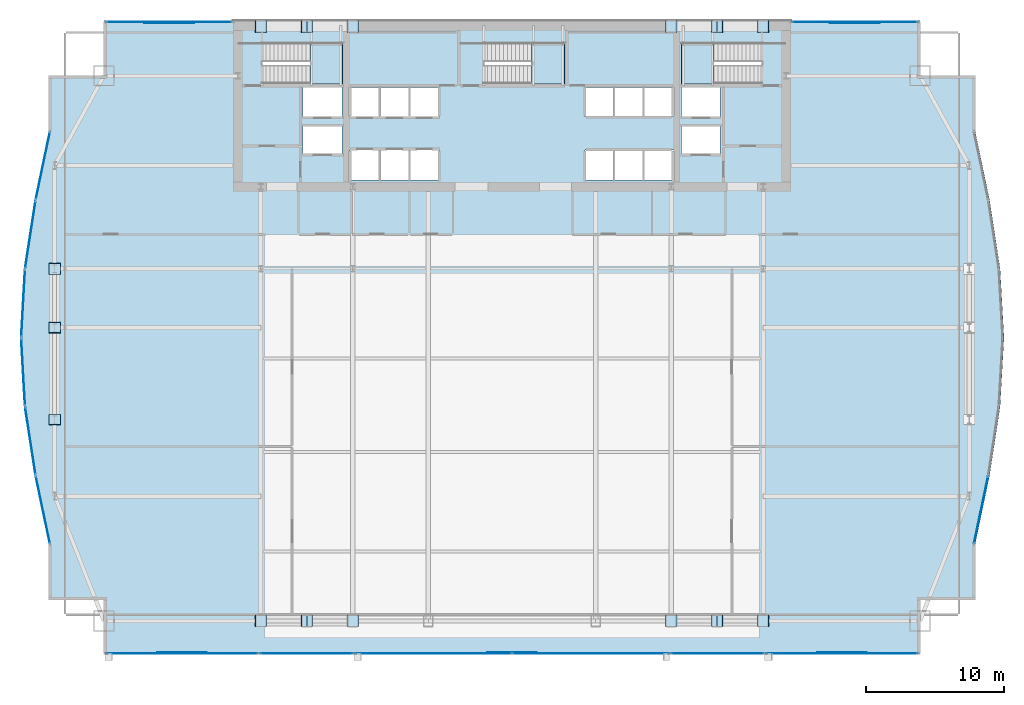
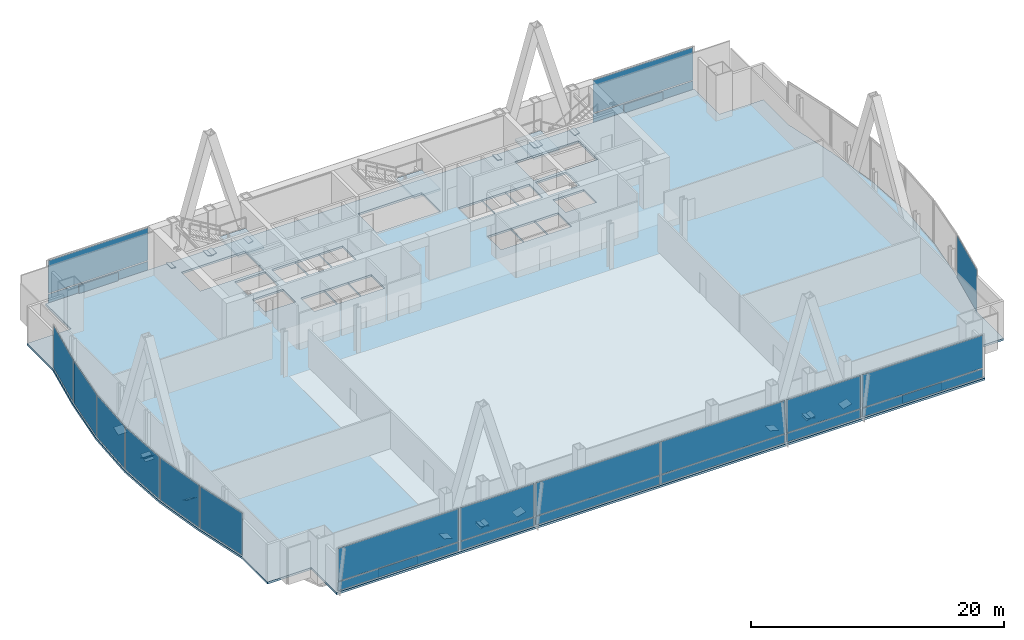
# One storey, part 26 of 32: 48 plates, 4 slabs, 17 elements without a shape of their own.
"""IFC4 building model written with IfcOpenShell, lengths in metres."""

from ifc_helpers import new_model, si_unit, direction, frame, origin, origin_2d, place, context, subcontext, project, spatial, polyline, rectangle, outline, extrude, material, layer, layer_set, type_object, element, aggregate, save


model = new_model("IFC4")

# Units and contexts
model_context = context("Model", 3, precision=1e-05, world=origin(), true_north=direction((0.0, 1.0)))
body_context = subcontext(model_context, "Body", "Model", "MODEL_VIEW")
ifc_project = project(units=[si_unit("LENGTHUNIT", "METRE"), si_unit("AREAUNIT", "SQUARE_METRE"), si_unit("VOLUMEUNIT", "CUBIC_METRE"), si_unit("PLANEANGLEUNIT", "RADIAN"), si_unit("MASSUNIT", "GRAM", prefix="KILO")], contexts=[model_context])

# Site, building, storey
site_placement = place(None, origin())
site = spatial("IfcSite", under=ifc_project, at=site_placement, CompositionType="ELEMENT")
building_placement = place(site_placement, origin())
building = spatial("IfcBuilding", under=site, at=building_placement, Name="Khoronbel Lancet Exchange", CompositionType="ELEMENT")
storey_placement = place(building_placement, frame((0.0, 0.0, 106.60009765625)))
storey = spatial("IfcBuildingStorey", under=building, at=storey_placement, Name="L25", CompositionType="ELEMENT", Elevation=106.60009765625)

# Curtain wall, plate
ifc_material_1 = material(Name="Low-E Solar Control Insulating Glass", Category="glass")
curtain_wall_type_1 = type_object("IfcCurtainWallType", Name="CW-4", PredefinedType="NOTDEFINED", material=ifc_material_1)
curtain_wall_1_placement = place(storey_placement, origin())
curtain_wall_1 = element("IfcCurtainWall", 1, at=curtain_wall_1_placement, inside=storey, type_object=curtain_wall_type_1, Name="Unitised curtain wall CW-L25-E05", PredefinedType="NOTDEFINED")
ifc_material_2 = material(Name="Bronze-Anodised Aluminium 6063-T6", Category="aluminium")
ifc_layer_1 = layer(ifc_material_2, 0.050048828125, Name="Bronze-Anodised Aluminium 6063-T6")
ifc_layer_set_1 = layer_set([ifc_layer_1], Name="Bronze-Anodised Aluminium 6063-T6")
plate_type_1 = type_object("IfcPlateType", Name="PLT-CSP1", PredefinedType="SHEET", material=ifc_layer_set_1)
plate_1_placement = place(storey_placement, frame((1.50732421875, 23.212646484375, 0.0849609375), z_axis=(0.0, 0.0, 1.0), x_axis=(-0.151689763181, 0.988428154064, 0.0)))
plate_1 = element("IfcPlate", 2, at=plate_1_placement, type_object=plate_type_1, Name="CW4 panel 1.1", PredefinedType="CURTAIN_PANEL", context=body_context, shape_type="SweptSolid", body=[
    extrude(rectangle(XDim=4.90185546875, YDim=0.0380859375, at=origin_2d()), origin(), (0.0, 0.0, 1.0), 4.070068359375),
])
aggregate(curtain_wall_1, [plate_1])

curtain_wall_2_placement = place(storey_placement, origin())
curtain_wall_2 = element("IfcCurtainWall", 3, at=curtain_wall_2_placement, inside=storey, type_object=curtain_wall_type_1, Name="Unitised curtain wall CW-L25-E06", PredefinedType="NOTDEFINED")
plate_2_placement = place(storey_placement, frame((0.984130859375, 28.20458984375, 0.0849609375), z_axis=(0.0, 0.0, 1.0), x_axis=(-0.056077211104, 0.998426435144, 0.0)))
plate_2 = element("IfcPlate", 4, at=plate_2_placement, type_object=plate_type_1, Name="CW4 panel 1.1", PredefinedType="CURTAIN_PANEL", context=body_context, shape_type="SweptSolid", body=[
    extrude(rectangle(XDim=4.848388671875, YDim=0.0380859375, at=origin_2d()), origin(), (0.0, 0.0, 1.0), 4.070068359375),
])
aggregate(curtain_wall_2, [plate_2])

curtain_wall_3_placement = place(storey_placement, origin())
curtain_wall_3 = element("IfcCurtainWall", 5, at=curtain_wall_3_placement, inside=storey, type_object=curtain_wall_type_1, Name="Unitised curtain wall CW-L25-E07", PredefinedType="NOTDEFINED")
plate_3_placement = place(storey_placement, frame((0.984130859375, 33.1953125, 0.0849609375), z_axis=(0.0, 0.0, 1.0), x_axis=(0.056077211104, 0.998426435144, 0.0)))
plate_3 = element("IfcPlate", 6, at=plate_3_placement, type_object=plate_type_1, Name="CW4 panel 1.1", PredefinedType="CURTAIN_PANEL", context=body_context, shape_type="SweptSolid", body=[
    extrude(rectangle(XDim=4.848388671875, YDim=0.0380859375, at=origin_2d()), origin(), (0.0, 0.0, 1.0), 4.070068359375),
])
aggregate(curtain_wall_3, [plate_3])

curtain_wall_4_placement = place(storey_placement, origin())
curtain_wall_4 = element("IfcCurtainWall", 7, at=curtain_wall_4_placement, inside=storey, type_object=curtain_wall_type_1, Name="Unitised curtain wall CW-L25-E08", PredefinedType="NOTDEFINED")
plate_4_placement = place(storey_placement, frame((1.50732421875, 38.187255859375, 0.0849609375), z_axis=(0.0, 0.0, 1.0), x_axis=(0.151689763181, 0.988428154064, 0.0)))
plate_4 = element("IfcPlate", 8, at=plate_4_placement, type_object=plate_type_1, Name="CW4 panel 1.1", PredefinedType="CURTAIN_PANEL", context=body_context, shape_type="SweptSolid", body=[
    extrude(rectangle(XDim=4.90185546875, YDim=0.0380859375, at=origin_2d()), origin(), (0.0, 0.0, 1.0), 4.070068359375),
])
aggregate(curtain_wall_4, [plate_4])

curtain_wall_type_2 = type_object("IfcCurtainWallType", Name="CW-2", PredefinedType="NOTDEFINED", material=ifc_material_1)
curtain_wall_5_placement = place(storey_placement, origin())
curtain_wall_5 = element("IfcCurtainWall", 9, at=curtain_wall_5_placement, inside=storey, type_object=curtain_wall_type_2, Name="Unitised curtain wall CW-L25-NWFLK", PredefinedType="NOTDEFINED")
plate_5_placement = place(storey_placement, frame((11.580078125, 53.550048828125, 0.0498046875), z_axis=(0.0, 0.0, 1.0), x_axis=(-1.0, 0.0, 0.0)))
plate_5 = element("IfcPlate", 10, at=plate_5_placement, type_object=plate_type_1, Name="Insulated bronze spandrel cassette CW-L25-NWFLK", PredefinedType="SHEET", context=body_context, shape_type="SweptSolid", body=[
    extrude(rectangle(XDim=3.60009765625, YDim=0.050048828125, at=origin_2d()), origin(), (0.0, 0.0, 1.0), 0.800048828125),
])

curtain_wall_6_placement = place(storey_placement, origin())
curtain_wall_6 = element("IfcCurtainWall", 11, at=curtain_wall_6_placement, inside=storey, type_object=curtain_wall_type_2, Name="Unitised curtain wall CW-L25-NEFLK", PredefinedType="NOTDEFINED")
plate_6_placement = place(storey_placement, frame((61.320068359375, 53.550048828125, 0.0498046875), z_axis=(0.0, 0.0, 1.0), x_axis=(-1.0, 0.0, 0.0)))
plate_6 = element("IfcPlate", 12, at=plate_6_placement, type_object=plate_type_1, Name="Insulated bronze spandrel cassette CW-L25-NEFLK", PredefinedType="SHEET", context=body_context, shape_type="SweptSolid", body=[
    extrude(rectangle(XDim=3.60009765625, YDim=0.050048828125, at=origin_2d()), origin(), (0.0, 0.0, 1.0), 0.800048828125),
])

curtain_wall_7_placement = place(storey_placement, origin())
curtain_wall_7 = element("IfcCurtainWall", 13, at=curtain_wall_7_placement, inside=storey, type_object=curtain_wall_type_2, Name="Unitised curtain wall CW-L25-SWV", PredefinedType="NOTDEFINED")
plate_7_placement = place(storey_placement, frame((12.52001953125, 7.85009765625, 0.0498046875), z_axis=(0.0, 0.0, 1.0), x_axis=(1.0, 0.0, 0.0)))
plate_7 = element("IfcPlate", 14, at=plate_7_placement, type_object=plate_type_1, Name="Insulated bronze spandrel cassette CW-L25-SWV", PredefinedType="SHEET", context=body_context, shape_type="SweptSolid", body=[
    extrude(rectangle(XDim=3.60009765625, YDim=0.050048828125, at=origin_2d()), origin(), (0.0, 0.0, 1.0), 0.800048828125),
])

# Curtain wall, plates
curtain_wall_8_placement = place(storey_placement, origin())
curtain_wall_8 = element("IfcCurtainWall", 15, at=curtain_wall_8_placement, inside=storey, type_object=curtain_wall_type_2, Name="Unitised curtain wall CW-L25-SWB", PredefinedType="NOTDEFINED")
plate_8_placement = place(storey_placement, frame((21.550048828125, 7.7900390625, 0.0849609375), z_axis=(0.0, 0.0, 1.0), x_axis=(1.0, 0.0, 0.0)))
plate_8 = element("IfcPlate", 16, at=plate_8_placement, type_object=plate_type_1, Name="CW2 panel 1.1", PredefinedType="CURTAIN_PANEL", context=body_context, shape_type="SweptSolid", body=[
    extrude(rectangle(XDim=6.72998046875, YDim=0.0380859375, at=origin_2d()), origin(), (0.0, 0.0, 1.0), 0.822509765625),
])
plate_9_placement = place(storey_placement, frame((21.550048828125, 7.7900390625, 0.992431640625), z_axis=(0.0, 0.0, 1.0), x_axis=(1.0, 0.0, 0.0)))
plate_9 = element("IfcPlate", 17, at=plate_9_placement, type_object=plate_type_1, Name="CW2 panel 1.2", PredefinedType="CURTAIN_PANEL", context=body_context, shape_type="SweptSolid", body=[
    extrude(rectangle(XDim=6.72998046875, YDim=0.0380859375, at=origin_2d()), origin(), (0.0, 0.0, 1.0), 3.16259765625),
])
aggregate(curtain_wall_8, [plate_8, plate_9])

# Curtain wall, plate
curtain_wall_9_placement = place(storey_placement, origin())
curtain_wall_9 = element("IfcCurtainWall", 18, at=curtain_wall_9_placement, inside=storey, type_object=curtain_wall_type_2, Name="Unitised curtain wall CW-L25-SCV", PredefinedType="NOTDEFINED")
plate_10_placement = place(storey_placement, frame((36.449951171875, 7.85009765625, 0.0498046875), z_axis=(0.0, 0.0, 1.0), x_axis=(1.0, 0.0, 0.0)))
plate_10 = element("IfcPlate", 19, at=plate_10_placement, type_object=plate_type_1, Name="Insulated bronze spandrel cassette CW-L25-SCV", PredefinedType="SHEET", context=body_context, shape_type="SweptSolid", body=[
    extrude(rectangle(XDim=3.60009765625, YDim=0.050048828125, at=origin_2d()), origin(), (0.0, 0.0, 1.0), 0.800048828125),
])

# Curtain wall, plates
curtain_wall_10_placement = place(storey_placement, origin())
curtain_wall_10 = element("IfcCurtainWall", 20, at=curtain_wall_10_placement, inside=storey, type_object=curtain_wall_type_2, Name="Unitised curtain wall CW-L25-SEB", PredefinedType="NOTDEFINED")
plate_11_placement = place(storey_placement, frame((51.35009765625, 7.7900390625, 0.0849609375), z_axis=(0.0, 0.0, 1.0), x_axis=(1.0, 0.0, 0.0)))
plate_11 = element("IfcPlate", 21, at=plate_11_placement, type_object=plate_type_1, Name="CW2 panel 1.1", PredefinedType="CURTAIN_PANEL", context=body_context, shape_type="SweptSolid", body=[
    extrude(rectangle(XDim=6.72998046875, YDim=0.0380859375, at=origin_2d()), origin(), (0.0, 0.0, 1.0), 0.822509765625),
])
plate_12_placement = place(storey_placement, frame((51.35009765625, 7.7900390625, 0.992431640625), z_axis=(0.0, 0.0, 1.0), x_axis=(1.0, 0.0, 0.0)))
plate_12 = element("IfcPlate", 22, at=plate_12_placement, type_object=plate_type_1, Name="CW2 panel 1.2", PredefinedType="CURTAIN_PANEL", context=body_context, shape_type="SweptSolid", body=[
    extrude(rectangle(XDim=6.72998046875, YDim=0.0380859375, at=origin_2d()), origin(), (0.0, 0.0, 1.0), 3.16259765625),
])
aggregate(curtain_wall_10, [plate_11, plate_12])

# Curtain wall, plate
curtain_wall_11_placement = place(storey_placement, origin())
curtain_wall_11 = element("IfcCurtainWall", 23, at=curtain_wall_11_placement, inside=storey, type_object=curtain_wall_type_2, Name="Unitised curtain wall CW-L25-SEV", PredefinedType="NOTDEFINED")
plate_13_placement = place(storey_placement, frame((60.3798828125, 7.85009765625, 0.0498046875), z_axis=(0.0, 0.0, 1.0), x_axis=(1.0, 0.0, 0.0)))
plate_13 = element("IfcPlate", 24, at=plate_13_placement, type_object=plate_type_1, Name="Insulated bronze spandrel cassette CW-L25-SEV", PredefinedType="SHEET", context=body_context, shape_type="SweptSolid", body=[
    extrude(rectangle(XDim=3.60009765625, YDim=0.050048828125, at=origin_2d()), origin(), (0.0, 0.0, 1.0), 0.800048828125),
])

# Plate
ifc_layer_2 = layer(ifc_material_1, 0.035888671875, Name="Low-E Solar Control Insulating Glass")
ifc_layer_set_2 = layer_set([ifc_layer_2], Name="Low-E Solar Control Insulating Glass")
plate_type_2 = type_object("IfcPlateType", Name="PLT-CWP1", PredefinedType="CURTAIN_PANEL", material=ifc_layer_set_2)
plate_14_placement = place(storey_placement, frame((11.580078125, 53.610107421875, 0.0849609375), z_axis=(0.0, 0.0, 1.0), x_axis=(-1.0, 0.0, 0.0)))
plate_14 = element("IfcPlate", 25, at=plate_14_placement, type_object=plate_type_2, Name="CW2 panel 1.1", PredefinedType="CURTAIN_PANEL", context=body_context, shape_type="SweptSolid", body=[
    extrude(rectangle(XDim=9.110107421875, YDim=0.0380859375, at=origin_2d()), origin(), (0.0, 0.0, 1.0), 0.822509765625),
])

plate_15_placement = place(storey_placement, frame((11.580078125, 53.610107421875, 0.992431640625), z_axis=(0.0, 0.0, 1.0), x_axis=(-1.0, 0.0, 0.0)))
plate_15 = element("IfcPlate", 26, at=plate_15_placement, type_object=plate_type_2, Name="CW2 panel 1.2", PredefinedType="CURTAIN_PANEL", context=body_context, shape_type="SweptSolid", body=[
    extrude(rectangle(XDim=9.110107421875, YDim=0.0380859375, at=origin_2d()), origin(), (0.0, 0.0, 1.0), 3.16259765625),
])

aggregate(curtain_wall_5, [plate_14, plate_15, plate_5])

plate_16_placement = place(storey_placement, frame((61.320068359375, 53.610107421875, 0.0849609375), z_axis=(0.0, 0.0, 1.0), x_axis=(-1.0, 0.0, 0.0)))
plate_16 = element("IfcPlate", 27, at=plate_16_placement, type_object=plate_type_2, Name="CW2 panel 1.1", PredefinedType="CURTAIN_PANEL", context=body_context, shape_type="SweptSolid", body=[
    extrude(rectangle(XDim=9.110107421875, YDim=0.0380859375, at=origin_2d()), origin(), (0.0, 0.0, 1.0), 0.822509765625),
])

plate_17_placement = place(storey_placement, frame((61.320068359375, 53.610107421875, 0.992431640625), z_axis=(0.0, 0.0, 1.0), x_axis=(-1.0, 0.0, 0.0)))
plate_17 = element("IfcPlate", 28, at=plate_17_placement, type_object=plate_type_2, Name="CW2 panel 1.2", PredefinedType="CURTAIN_PANEL", context=body_context, shape_type="SweptSolid", body=[
    extrude(rectangle(XDim=9.110107421875, YDim=0.0380859375, at=origin_2d()), origin(), (0.0, 0.0, 1.0), 3.16259765625),
])

aggregate(curtain_wall_6, [plate_16, plate_17, plate_6])

plate_18_placement = place(storey_placement, frame((12.52001953125, 7.7900390625, 0.0849609375), z_axis=(0.0, 0.0, 1.0), x_axis=(1.0, 0.0, 0.0)))
plate_18 = element("IfcPlate", 29, at=plate_18_placement, type_object=plate_type_2, Name="CW2 panel 1.1", PredefinedType="CURTAIN_PANEL", context=body_context, shape_type="SweptSolid", body=[
    extrude(rectangle(XDim=10.989990234375, YDim=0.0380859375, at=origin_2d()), origin(), (0.0, 0.0, 1.0), 0.822509765625),
])

plate_19_placement = place(storey_placement, frame((12.52001953125, 7.7900390625, 0.992431640625), z_axis=(0.0, 0.0, 1.0), x_axis=(1.0, 0.0, 0.0)))
plate_19 = element("IfcPlate", 30, at=plate_19_placement, type_object=plate_type_2, Name="CW2 panel 1.2", PredefinedType="CURTAIN_PANEL", context=body_context, shape_type="SweptSolid", body=[
    extrude(rectangle(XDim=10.989990234375, YDim=0.0380859375, at=origin_2d()), origin(), (0.0, 0.0, 1.0), 3.16259765625),
])

aggregate(curtain_wall_7, [plate_18, plate_19, plate_7])

plate_20_placement = place(storey_placement, frame((30.746337890625, 7.7900390625, 0.0849609375), z_axis=(0.0, 0.0, 1.0), x_axis=(1.0, 0.0, 0.0)))
plate_20 = element("IfcPlate", 31, at=plate_20_placement, type_object=plate_type_2, Name="CW2 panel 1.1", PredefinedType="CURTAIN_PANEL", context=body_context, shape_type="SweptSolid", body=[
    extrude(rectangle(XDim=11.322509765625, YDim=0.0380859375, at=origin_2d()), origin(), (0.0, 0.0, 1.0), 0.822509765625),
])

plate_21_placement = place(storey_placement, frame((30.746337890625, 7.7900390625, 0.992431640625), z_axis=(0.0, 0.0, 1.0), x_axis=(1.0, 0.0, 0.0)))
plate_21 = element("IfcPlate", 32, at=plate_21_placement, type_object=plate_type_2, Name="CW2 panel 1.2", PredefinedType="CURTAIN_PANEL", context=body_context, shape_type="SweptSolid", body=[
    extrude(rectangle(XDim=11.322509765625, YDim=0.0380859375, at=origin_2d()), origin(), (0.0, 0.0, 1.0), 3.16259765625),
])

plate_22_placement = place(storey_placement, frame((42.15380859375, 7.7900390625, 0.0849609375), z_axis=(0.0, 0.0, 1.0), x_axis=(1.0, 0.0, 0.0)))
plate_22 = element("IfcPlate", 33, at=plate_22_placement, type_object=plate_type_2, Name="CW2 panel 2.1", PredefinedType="CURTAIN_PANEL", context=body_context, shape_type="SweptSolid", body=[
    extrude(rectangle(XDim=11.322509765625, YDim=0.0380859375, at=origin_2d()), origin(), (0.0, 0.0, 1.0), 0.822509765625),
])

plate_23_placement = place(storey_placement, frame((42.15380859375, 7.7900390625, 0.992431640625), z_axis=(0.0, 0.0, 1.0), x_axis=(1.0, 0.0, 0.0)))
plate_23 = element("IfcPlate", 34, at=plate_23_placement, type_object=plate_type_2, Name="CW2 panel 2.2", PredefinedType="CURTAIN_PANEL", context=body_context, shape_type="SweptSolid", body=[
    extrude(rectangle(XDim=11.322509765625, YDim=0.0380859375, at=origin_2d()), origin(), (0.0, 0.0, 1.0), 3.16259765625),
])

aggregate(curtain_wall_9, [plate_20, plate_21, plate_22, plate_23, plate_10])

plate_24_placement = place(storey_placement, frame((60.3798828125, 7.7900390625, 0.0849609375), z_axis=(0.0, 0.0, 1.0), x_axis=(1.0, 0.0, 0.0)))
plate_24 = element("IfcPlate", 35, at=plate_24_placement, type_object=plate_type_2, Name="CW2 panel 1.1", PredefinedType="CURTAIN_PANEL", context=body_context, shape_type="SweptSolid", body=[
    extrude(rectangle(XDim=10.989990234375, YDim=0.0380859375, at=origin_2d()), origin(), (0.0, 0.0, 1.0), 0.822509765625),
])

plate_25_placement = place(storey_placement, frame((60.3798828125, 7.7900390625, 0.992431640625), z_axis=(0.0, 0.0, 1.0), x_axis=(1.0, 0.0, 0.0)))
plate_25 = element("IfcPlate", 36, at=plate_25_placement, type_object=plate_type_2, Name="CW2 panel 1.2", PredefinedType="CURTAIN_PANEL", context=body_context, shape_type="SweptSolid", body=[
    extrude(rectangle(XDim=10.989990234375, YDim=0.0380859375, at=origin_2d()), origin(), (0.0, 0.0, 1.0), 3.16259765625),
])

aggregate(curtain_wall_11, [plate_24, plate_25, plate_13])

# Curtain wall, plate
curtain_wall_12_placement = place(storey_placement, origin())
curtain_wall_12 = element("IfcCurtainWall", 37, at=curtain_wall_12_placement, inside=storey, type_object=curtain_wall_type_1, Name="Unitised curtain wall CW-L25-E04", PredefinedType="NOTDEFINED")
ifc_material_3 = material(Name="Ceramic-Fritted Laminated Insulating Glass", Category="glass")
ifc_layer_3 = layer(ifc_material_3, 0.0419921875, Name="Ceramic-Fritted Laminated Insulating Glass")
ifc_layer_set_3 = layer_set([ifc_layer_3], Name="Ceramic-Fritted Laminated Insulating Glass")
plate_type_3 = type_object("IfcPlateType", Name="PLT-CWP2", PredefinedType="CURTAIN_PANEL", material=ifc_layer_set_3)
plate_26_placement = place(storey_placement, frame((2.415283203125, 18.212646484375, 0.0849609375), z_axis=(0.0, 0.0, 1.0), x_axis=(-0.205156253509, 0.97872923306, 0.0)))
plate_26 = element("IfcPlate", 38, at=plate_26_placement, type_object=plate_type_3, Name="CW4 panel 1.1", PredefinedType="CURTAIN_PANEL", context=body_context, shape_type="SweptSolid", body=[
    extrude(rectangle(XDim=4.965576171875, YDim=0.0380859375, at=origin_2d()), origin(), (0.0, 0.0, 1.0), 4.070068359375),
])
aggregate(curtain_wall_12, [plate_26])

curtain_wall_13_placement = place(storey_placement, origin())
curtain_wall_13 = element("IfcCurtainWall", 39, at=curtain_wall_13_placement, inside=storey, type_object=curtain_wall_type_1, Name="Unitised curtain wall CW-L25-E09", PredefinedType="NOTDEFINED")
plate_27_placement = place(storey_placement, frame((2.415283203125, 43.187255859375, 0.0849609375), z_axis=(0.0, 0.0, 1.0), x_axis=(0.205156253509, 0.97872923306, 0.0)))
plate_27 = element("IfcPlate", 40, at=plate_27_placement, type_object=plate_type_3, Name="CW4 panel 1.1", PredefinedType="CURTAIN_PANEL", context=body_context, shape_type="SweptSolid", body=[
    extrude(rectangle(XDim=4.965576171875, YDim=0.0380859375, at=origin_2d()), origin(), (0.0, 0.0, 1.0), 4.070068359375),
])
aggregate(curtain_wall_13, [plate_27])

curtain_wall_14_placement = place(storey_placement, origin())
curtain_wall_14 = element("IfcCurtainWall", 41, at=curtain_wall_14_placement, inside=storey, type_object=curtain_wall_type_1, Name="Unitised curtain wall CW-L25-E22", PredefinedType="NOTDEFINED")
plate_28_placement = place(storey_placement, frame((70.48486328125, 18.212646484375, 0.0849609375), z_axis=(0.0, 0.0, 1.0), x_axis=(-0.205156253509, -0.97872923306, 0.0)))
plate_28 = element("IfcPlate", 42, at=plate_28_placement, type_object=plate_type_3, Name="CW4 panel 1.1", PredefinedType="CURTAIN_PANEL", context=body_context, shape_type="SweptSolid", body=[
    extrude(rectangle(XDim=4.965576171875, YDim=0.0380859375, at=origin_2d()), origin(), (0.0, 0.0, 1.0), 4.070068359375),
])
aggregate(curtain_wall_14, [plate_28])

# Plates
ifc_material_4 = material(Name="Steel S460", Category="steel")
ifc_layer_4 = layer(ifc_material_4, 0.044921875, Name="Steel S460")
ifc_layer_set_4 = layer_set([ifc_layer_4], Name="Steel S460")
plate_type_4 = type_object("IfcPlateType", Name="PLT-ECP1", PredefinedType="USERDEFINED", material=ifc_layer_set_4)
for number, where, z_axis, x_axis, name in (
    (43, (21.97607421875, 9.72998046875, -0.080810546875), (0.26795862665, 0.0, 0.963430420115), (0.0, 1.0, 0.0), "Hollow end cap plate PLT-CAP-MEM-MB-T07-S-W-L-1"),
    (44, (21.14892578125, 10.570068359375, -0.080810546875), (-0.26795862665, 0.0, 0.963430420115), (0.0, -1.0, 0.0), "Hollow end cap plate PLT-CAP-MEM-MB-T07-S-W-R-1"),
    (45, (51.7509765625, 9.72998046875, -0.080810546875), (0.26795862665, 0.0, 0.963430420115), (0.0, 1.0, 0.0), "Hollow end cap plate PLT-CAP-MEM-MB-T07-S-E-L-1"),
    (46, (50.924072265625, 10.570068359375, -0.080810546875), (-0.26795862665, 0.0, 0.963430420115), (0.0, -1.0, 0.0), "Hollow end cap plate PLT-CAP-MEM-MB-T07-S-E-R-1"),
):
    element("IfcPlate", number, at=place(storey_placement, frame(where, z_axis=z_axis, x_axis=x_axis)), inside=storey, type_object=plate_type_4, Name=name, ObjectType="STIFFENER_PLATE", PredefinedType="USERDEFINED", context=body_context, shape_type="SweptSolid", body=[
        extrude(outline(polyline([(0.0, 0.0), (0.840087890625, 0.0), (0.840087890625, 0.840087890625), (0.0, 0.840087890625), (0.0, 0.0)])), origin(), (0.0, 0.0, -1.0), 0.044921875),
    ])
for number, where, z_axis, x_axis, name in (
    (47, (21.97607421875, 52.860107421875, -0.080810546875), (0.26795862665, 0.0, 0.963430420115), (0.0, 1.0, 0.0), "Hollow end cap plate PLT-CAP-MEM-MB-T07-N-W-L-1"),
    (48, (21.14892578125, 53.699951171875, -0.080810546875), (-0.26795862665, 0.0, 0.963430420115), (0.0, -1.0, 0.0), "Hollow end cap plate PLT-CAP-MEM-MB-T07-N-W-R-1"),
    (49, (51.7509765625, 52.860107421875, -0.080810546875), (0.26795862665, 0.0, 0.963430420115), (0.0, 1.0, 0.0), "Hollow end cap plate PLT-CAP-MEM-MB-T07-N-E-L-1"),
    (50, (50.924072265625, 53.699951171875, -0.080810546875), (-0.26795862665, 0.0, 0.963430420115), (0.0, -1.0, 0.0), "Hollow end cap plate PLT-CAP-MEM-MB-T07-N-E-R-1"),
    (51, (3.68994140625, 31.80810546875, -0.175537109375), (0.0, 0.486185669664, 0.873855534178), (-1.0, 0.0, 0.0), "Hollow end cap plate PLT-CAP-MEM-MB-T07-W-P-L-1"),
):
    element("IfcPlate", number, at=place(storey_placement, frame(where, z_axis=z_axis, x_axis=x_axis)), inside=storey, type_object=plate_type_4, Name=name, ObjectType="STIFFENER_PLATE", PredefinedType="USERDEFINED", context=body_context, shape_type="SweptSolid", body=[
        extrude(outline(polyline([(0.0, 0.0), (0.83984375, 0.0), (0.83984375, 0.840087890625), (0.0, 0.840087890625), (0.0, 0.0)])), origin(), (0.0, 0.0, -1.0), 0.044921875),
    ])
plate_29_placement = place(storey_placement, frame((2.85009765625, 31.018310546875, -0.10986328125), z_axis=(0.0, -0.335433979759, 0.942063716116), x_axis=(1.0, 0.0, 0.0)))
element("IfcPlate", 52, at=plate_29_placement, inside=storey, type_object=plate_type_4, Name="Hollow end cap plate PLT-CAP-MEM-MB-T07-W-P-R-1", ObjectType="STIFFENER_PLATE", PredefinedType="USERDEFINED", context=body_context, shape_type="SweptSolid", body=[
    extrude(outline(polyline([(0.0, 0.0), (0.83984375, 0.0), (0.83984375, 0.83984375), (0.0, 0.83984375), (0.0, 0.0)])), origin(), (0.0, 0.0, -1.0), 0.044921875),
])
for number, where, z_axis, x_axis, name in (
    (53, (18.6318359375, 9.72998046875, -0.104736328125), (0.276448383973, 0.0, 0.961028766998), (0.0, 1.0, 0.0), "Hollow end cap plate PLT-CAP-MEM-MB-T08-S-W-L-0"),
    (54, (24.4931640625, 10.570068359375, -0.104736328125), (-0.276448383973, 0.0, 0.961028766998), (0.0, -1.0, 0.0), "Hollow end cap plate PLT-CAP-MEM-MB-T08-S-W-R-0"),
):
    element("IfcPlate", number, at=place(storey_placement, frame(where, z_axis=z_axis, x_axis=x_axis)), inside=storey, type_object=plate_type_4, Name=name, ObjectType="STIFFENER_PLATE", PredefinedType="USERDEFINED", context=body_context, shape_type="SweptSolid", body=[
        extrude(outline(polyline([(0.0, 0.0), (0.840087890625, 0.0), (0.840087890625, 0.83984375), (0.0, 0.83984375), (0.0, 0.0)])), origin(), (0.0, 0.0, -1.0), 0.044921875),
    ])
plate_30_placement = place(storey_placement, frame((48.406982421875, 9.72998046875, -0.104736328125), z_axis=(0.276371175016, 0.0, 0.961050973477), x_axis=(0.0, 1.0, 0.0)))
element("IfcPlate", 55, at=plate_30_placement, inside=storey, type_object=plate_type_4, Name="Hollow end cap plate PLT-CAP-MEM-MB-T08-S-E-L-0", ObjectType="STIFFENER_PLATE", PredefinedType="USERDEFINED", context=body_context, shape_type="SweptSolid", body=[
    extrude(outline(polyline([(0.0, 0.0), (0.840087890625, 0.0), (0.840087890625, 0.840087890625), (0.0, 0.840087890625), (0.0, 0.0)])), origin(), (0.0, 0.0, -1.0), 0.044921875),
])
plate_31_placement = place(storey_placement, frame((54.26806640625, 10.570068359375, -0.104736328125), z_axis=(-0.276448383973, 0.0, 0.961028766998), x_axis=(0.0, -1.0, 0.0)))
element("IfcPlate", 56, at=plate_31_placement, inside=storey, type_object=plate_type_4, Name="Hollow end cap plate PLT-CAP-MEM-MB-T08-S-E-R-0", ObjectType="STIFFENER_PLATE", PredefinedType="USERDEFINED", context=body_context, shape_type="SweptSolid", body=[
    extrude(outline(polyline([(0.0, 0.0), (0.840087890625, 0.0), (0.840087890625, 0.83984375), (0.0, 0.83984375), (0.0, 0.0)])), origin(), (0.0, 0.0, -1.0), 0.044921875),
])
for number, where, z_axis, x_axis, name in (
    (57, (18.6318359375, 52.860107421875, -0.104736328125), (0.276448383973, 0.0, 0.961028766998), (0.0, 1.0, 0.0), "Hollow end cap plate PLT-CAP-MEM-MB-T08-N-W-L-0"),
    (58, (24.4931640625, 53.699951171875, -0.104736328125), (-0.276448383973, 0.0, 0.961028766998), (0.0, -1.0, 0.0), "Hollow end cap plate PLT-CAP-MEM-MB-T08-N-W-R-0"),
):
    element("IfcPlate", number, at=place(storey_placement, frame(where, z_axis=z_axis, x_axis=x_axis)), inside=storey, type_object=plate_type_4, Name=name, ObjectType="STIFFENER_PLATE", PredefinedType="USERDEFINED", context=body_context, shape_type="SweptSolid", body=[
        extrude(outline(polyline([(0.0, 0.0), (0.83984375, 0.0), (0.83984375, 0.83984375), (0.0, 0.83984375), (0.0, 0.0)])), origin(), (0.0, 0.0, -1.0), 0.044921875),
    ])
plate_32_placement = place(storey_placement, frame((48.406982421875, 52.860107421875, -0.104736328125), z_axis=(0.276371175016, 0.0, 0.961050973477), x_axis=(0.0, 1.0, 0.0)))
element("IfcPlate", 59, at=plate_32_placement, inside=storey, type_object=plate_type_4, Name="Hollow end cap plate PLT-CAP-MEM-MB-T08-N-E-L-0", ObjectType="STIFFENER_PLATE", PredefinedType="USERDEFINED", context=body_context, shape_type="SweptSolid", body=[
    extrude(outline(polyline([(0.0, 0.0), (0.83984375, 0.0), (0.83984375, 0.840087890625), (0.0, 0.840087890625), (0.0, 0.0)])), origin(), (0.0, 0.0, -1.0), 0.044921875),
])
plate_33_placement = place(storey_placement, frame((54.26806640625, 53.699951171875, -0.104736328125), z_axis=(-0.276448383973, 0.0, 0.961028766998), x_axis=(0.0, -1.0, 0.0)))
element("IfcPlate", 60, at=plate_33_placement, inside=storey, type_object=plate_type_4, Name="Hollow end cap plate PLT-CAP-MEM-MB-T08-N-E-R-0", ObjectType="STIFFENER_PLATE", PredefinedType="USERDEFINED", context=body_context, shape_type="SweptSolid", body=[
    extrude(outline(polyline([(0.0, 0.0), (0.83984375, 0.0), (0.83984375, 0.83984375), (0.0, 0.83984375), (0.0, 0.0)])), origin(), (0.0, 0.0, -1.0), 0.044921875),
])
plate_34_placement = place(storey_placement, frame((3.68994140625, 25.1201171875, -0.19921875), z_axis=(0.0, 0.498640359883, 0.86680897059), x_axis=(-1.0, 0.0, 0.0)))
element("IfcPlate", 61, at=plate_34_placement, inside=storey, type_object=plate_type_4, Name="Hollow end cap plate PLT-CAP-MEM-MB-T08-W-P-L-0", ObjectType="STIFFENER_PLATE", PredefinedType="USERDEFINED", context=body_context, shape_type="SweptSolid", body=[
    extrude(outline(polyline([(0.0, 0.0), (0.83984375, 0.0), (0.83984375, 0.840087890625), (0.0, 0.840087890625), (0.0, 0.0)])), origin(), (0.0, 0.0, -1.0), 0.044921875),
])
plate_35_placement = place(storey_placement, frame((2.85009765625, 35.3017578125, -0.134033203125), z_axis=(0.0, -0.345893931034, 0.938273621325), x_axis=(1.0, 0.0, 0.0)))
element("IfcPlate", 62, at=plate_35_placement, inside=storey, type_object=plate_type_4, Name="Hollow end cap plate PLT-CAP-MEM-MB-T08-W-P-R-0", ObjectType="STIFFENER_PLATE", PredefinedType="USERDEFINED", context=body_context, shape_type="SweptSolid", body=[
    extrude(outline(polyline([(0.0, 0.0), (0.83984375, 0.0), (0.83984375, 0.83984375), (0.0, 0.83984375), (0.0, 0.0)])), origin(), (0.0, 0.0, -1.0), 0.044921875),
])

# Slab
ifc_material_5 = material(Name="Concrete C40/50", Category="concrete")
ifc_layer_5 = layer(ifc_material_5, 0.199951171875, Name="Concrete C40/50")
ifc_layer_set_5 = layer_set([ifc_layer_5], Name="Concrete C40/50")
slab_type_1 = type_object("IfcSlabType", Name="SL-FL200", PredefinedType="FLOOR", material=ifc_layer_set_5)
slab_1_placement = place(storey_placement, frame((0.0, 0.0, -0.2001953125)))
element("IfcSlab", 63, at=slab_1_placement, inside=storey, type_object=slab_type_1, Name="Level L25 composite structural floor slab", PredefinedType="FLOOR", context=body_context, shape_type="SweptSolid", body=[
    extrude(outline(polyline([(6.85009765625, 7.699951171875), (66.050048828125, 7.699951171875), (66.050048828125, 11.699951171875), (70.050048828125, 11.699951171875), (70.050048828125, 15.699951171875), (71.09814453125, 20.699951171875), (71.865478515625, 25.699951171875), (72.146240234375, 30.699951171875), (71.865478515625, 35.699951171875), (71.09814453125, 40.699951171875), (70.050048828125, 45.699951171875), (70.050048828125, 49.699951171875), (66.050048828125, 49.699951171875), (66.050048828125, 53.699951171875), (6.85009765625, 53.699951171875), (6.85009765625, 49.699951171875), (2.85009765625, 49.699951171875), (2.85009765625, 45.699951171875), (1.802001953125, 40.699951171875), (1.03466796875, 35.699951171875), (0.75390625, 30.699951171875), (1.03466796875, 25.699951171875), (1.802001953125, 20.699951171875), (2.85009765625, 15.699951171875), (2.85009765625, 11.699951171875), (6.85009765625, 11.699951171875), (6.85009765625, 7.699951171875)]), holes=[polyline([(18.324951171875, 49.1201171875), (24.14990234375, 49.1201171875), (24.14990234375, 52.10009765625), (18.324951171875, 52.10009765625), (18.324951171875, 49.1201171875)]), polyline([(48.75, 49.1201171875), (54.574951171875, 49.1201171875), (54.574951171875, 52.10009765625), (48.75, 52.10009765625), (48.75, 49.1201171875)]), polyline([(34.425048828125, 49.1201171875), (40.25, 49.1201171875), (40.25, 52.10009765625), (34.425048828125, 52.10009765625), (34.425048828125, 49.1201171875)]), polyline([(24.699951171875, 46.75), (26.840087890625, 46.75), (26.840087890625, 48.85009765625), (24.699951171875, 48.85009765625), (24.699951171875, 46.75)]), polyline([(26.860107421875, 46.75), (29.0, 46.75), (29.0, 48.85009765625), (26.860107421875, 48.85009765625), (26.860107421875, 46.75)]), polyline([(29.02001953125, 46.75), (31.159912109375, 46.75), (31.159912109375, 48.85009765625), (29.02001953125, 48.85009765625), (29.02001953125, 46.75)]), polyline([(24.699951171875, 42.14990234375), (26.840087890625, 42.14990234375), (26.840087890625, 44.300048828125), (24.699951171875, 44.300048828125), (24.699951171875, 42.14990234375)]), polyline([(26.860107421875, 42.14990234375), (29.0, 42.14990234375), (29.0, 44.300048828125), (26.860107421875, 44.300048828125), (26.860107421875, 42.14990234375)]), polyline([(29.02001953125, 42.14990234375), (31.159912109375, 42.14990234375), (31.159912109375, 44.300048828125), (29.02001953125, 44.300048828125), (29.02001953125, 42.14990234375)]), polyline([(41.739990234375, 46.75), (43.8798828125, 46.75), (43.8798828125, 48.85009765625), (41.739990234375, 48.85009765625), (41.739990234375, 46.75)]), polyline([(43.89990234375, 46.75), (46.0400390625, 46.75), (46.0400390625, 48.85009765625), (43.89990234375, 48.85009765625), (43.89990234375, 46.75)]), polyline([(46.06005859375, 46.75), (48.199951171875, 46.75), (48.199951171875, 48.85009765625), (46.06005859375, 48.85009765625), (46.06005859375, 46.75)]), polyline([(41.739990234375, 42.14990234375), (43.8798828125, 42.14990234375), (43.8798828125, 44.300048828125), (41.739990234375, 44.300048828125), (41.739990234375, 42.14990234375)]), polyline([(43.89990234375, 42.14990234375), (46.0400390625, 42.14990234375), (46.0400390625, 44.300048828125), (43.89990234375, 44.300048828125), (43.89990234375, 42.14990234375)]), polyline([(46.06005859375, 42.14990234375), (48.199951171875, 42.14990234375), (48.199951171875, 44.300048828125), (46.06005859375, 44.300048828125), (46.06005859375, 42.14990234375)]), polyline([(21.300048828125, 46.75), (24.10009765625, 46.75), (24.10009765625, 48.85009765625), (21.300048828125, 48.85009765625), (21.300048828125, 46.75)]), polyline([(48.75, 46.75), (51.550048828125, 46.75), (51.550048828125, 48.85009765625), (48.75, 48.85009765625), (48.75, 46.75)]), polyline([(21.300048828125, 44.050048828125), (24.10009765625, 44.050048828125), (24.10009765625, 46.050048828125), (21.300048828125, 46.050048828125), (21.300048828125, 44.050048828125)]), polyline([(48.75, 44.050048828125), (51.550048828125, 44.050048828125), (51.550048828125, 46.050048828125), (48.75, 46.050048828125), (48.75, 44.050048828125)])]), origin(), (0.0, 0.0, 1.0), 0.2001953125),
])

# Stair, slab
stair_type = type_object("IfcStairType", Name="STR-CORE150", PredefinedType="HALF_TURN_STAIR", material=ifc_material_5)
stair_1_placement = place(storey_placement, origin())
stair_1 = element("IfcStair", 64, at=stair_1_placement, inside=storey, type_object=stair_type, Name="L25 Protected Exit Stair ST1", PredefinedType="HALF_TURN_STAIR")
ifc_layer_6 = layer(ifc_material_5, 0.199951171875, Name="Concrete C40/50")
ifc_layer_set_6 = layer_set([ifc_layer_6], Name="Concrete C40/50")
slab_type_2 = type_object("IfcSlabType", Name="SL-LND180", PredefinedType="LANDING", material=ifc_layer_set_6)
slab_2_placement = place(storey_placement, frame((0.0, 0.0, 2.0)))
slab_2 = element("IfcSlab", 65, at=slab_2_placement, type_object=slab_type_2, Name="ST1 landing 1", PredefinedType="LANDING", context=body_context, shape_type="SweptSolid", body=[
    extrude(outline(polyline([(21.780029296875, 49.1201171875), (24.14990234375, 49.1201171875), (24.14990234375, 52.10009765625), (21.780029296875, 52.10009765625), (21.780029296875, 49.1201171875)])), origin(), (0.0, 0.0, 1.0), 0.199951171875),
])
aggregate(stair_1, [slab_2])

stair_2_placement = place(storey_placement, origin())
stair_2 = element("IfcStair", 66, at=stair_2_placement, inside=storey, type_object=stair_type, Name="L25 Protected Exit Stair ST2", PredefinedType="HALF_TURN_STAIR")
slab_3_placement = place(storey_placement, frame((0.0, 0.0, 2.0)))
slab_3 = element("IfcSlab", 67, at=slab_3_placement, type_object=slab_type_2, Name="ST2 landing 1", PredefinedType="LANDING", context=body_context, shape_type="SweptSolid", body=[
    extrude(outline(polyline([(51.1201171875, 52.10009765625), (48.75, 52.10009765625), (48.75, 49.1201171875), (51.1201171875, 49.1201171875), (51.1201171875, 52.10009765625)])), origin(), (0.0, 0.0, 1.0), 0.199951171875),
])
aggregate(stair_2, [slab_3])

stair_3_placement = place(storey_placement, origin())
stair_3 = element("IfcStair", 68, at=stair_3_placement, inside=storey, type_object=stair_type, Name="L25 Protected Exit Stair ST3", PredefinedType="HALF_TURN_STAIR")
slab_4_placement = place(storey_placement, frame((0.0, 0.0, 2.0)))
slab_4 = element("IfcSlab", 69, at=slab_4_placement, type_object=slab_type_2, Name="ST3 landing 1", PredefinedType="LANDING", context=body_context, shape_type="SweptSolid", body=[
    extrude(outline(polyline([(37.8798828125, 49.1201171875), (40.25, 49.1201171875), (40.25, 52.10009765625), (37.8798828125, 52.10009765625), (37.8798828125, 49.1201171875)])), origin(), (0.0, 0.0, 1.0), 0.199951171875),
])
aggregate(stair_3, [slab_4])

save(model, "model.ifc")
